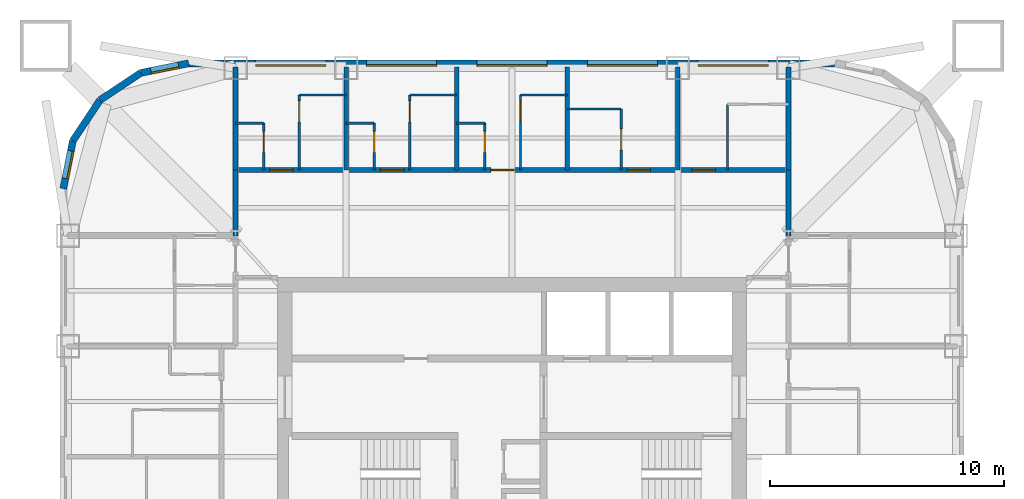
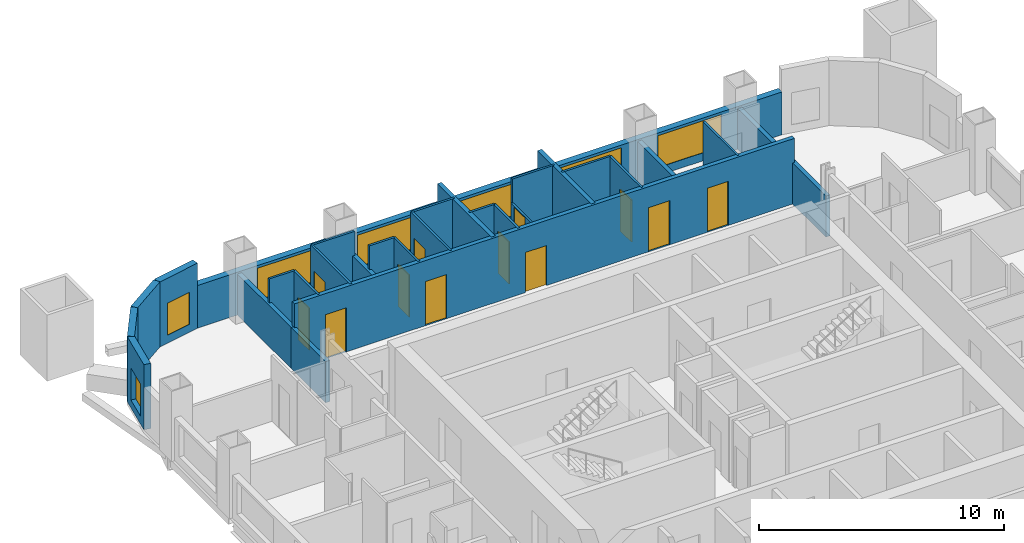
# One storey, part 7 of 9: 29 walls, 12 doors, 7 windows, 19 openings.
"""IFC4 building model written with IfcOpenShell, lengths in metres."""

from ifc_helpers import new_model, si_unit, direction, frame, frame_2d, origin, place, context, subcontext, project, spatial, rectangle, extrude, material, layer, layer_set, type_object, element, fill, save


model = new_model("IFC4")

# Units and contexts
model_context = context("Model", 3, precision=1e-05, world=origin(), true_north=direction((0.0, 1.0)))
body_context = subcontext(model_context, "Body", "Model", "MODEL_VIEW")
ifc_project = project(units=[si_unit("LENGTHUNIT", "METRE"), si_unit("AREAUNIT", "SQUARE_METRE"), si_unit("VOLUMEUNIT", "CUBIC_METRE"), si_unit("PLANEANGLEUNIT", "RADIAN"), si_unit("MASSUNIT", "GRAM", prefix="KILO")], contexts=[model_context])

# Site, building, storey
site_placement = place(None, origin())
site = spatial("IfcSite", under=ifc_project, at=site_placement, CompositionType="ELEMENT")
building_placement = place(site_placement, origin())
building = spatial("IfcBuilding", under=site, at=building_placement, Name="Turquesa Mirador Hotel Tower", CompositionType="ELEMENT")
storey_placement = place(building_placement, frame((0.0, 0.0, 217.800048828125)))
storey = spatial("IfcBuildingStorey", under=building, at=storey_placement, Name="L59", CompositionType="ELEMENT", Elevation=217.800048828125)

# Walls
ifc_material_1 = material(Name="Gypsum board on steel studs", Category="steel")
ifc_layer_1 = layer(ifc_material_1, 0.10009765625)
ifc_layer_set_1 = layer_set([ifc_layer_1], Name="BATHROOM WALL 100")
wall_type_1 = type_object("IfcWallType", Name="BATHROOM WALL 100", PredefinedType="PARTITIONING", material=ifc_layer_set_1)
wall_1_placement = place(storey_placement, frame((43.199951171875, 61.60009765625, 0.0), z_axis=(0.0, 0.0, 1.0), x_axis=(1.0, 0.0, 0.0)))
element("IfcWall", 1, at=wall_1_placement, inside=storey, type_object=wall_type_1, Name="Partition L59 033", PredefinedType="PARTITIONING", context=body_context, shape_type="SweptSolid", body=[
    extrude(rectangle(XDim=1.199951171875, YDim=0.10009765625, at=frame_2d((0.60009765625, 0.0))), origin(), (0.0, 0.0, 1.0), 3.25),
])
for number, where, z_axis, x_axis, name in (
    (2, (47.919921875, 61.60009765625, 0.0), (0.0, 0.0, 1.0), (1.0, 0.0, 0.0), "Partition L59 034"),
    (3, (52.639892578125, 61.60009765625, 0.0), (0.0, 0.0, 1.0), (1.0, 0.0, 0.0), "Partition L59 035"),
):
    element("IfcWall", number, at=place(storey_placement, frame(where, z_axis=z_axis, x_axis=x_axis)), inside=storey, type_object=wall_type_1, Name=name, PredefinedType="PARTITIONING", context=body_context, shape_type="SweptSolid", body=[
        extrude(rectangle(XDim=1.2001953125, YDim=0.10009765625, at=frame_2d((0.60009765625, 0.0))), origin(), (0.0, 0.0, 1.0), 3.25),
    ])
wall_2_placement = place(storey_placement, frame((57.360107421875, 62.199951171875, 0.0), z_axis=(0.0, 0.0, 1.0), x_axis=(1.0, 0.0, 0.0)))
element("IfcWall", 4, at=wall_2_placement, inside=storey, type_object=wall_type_1, Name="Partition L59 036", PredefinedType="PARTITIONING", context=body_context, shape_type="SweptSolid", body=[
    extrude(rectangle(XDim=2.2998046875, YDim=0.10009765625, at=frame_2d((1.14990234375, 0.0))), origin(), (0.0, 0.0, 1.0), 3.25),
])
for number, where, z_axis, x_axis, name in (
    (5, (45.919921875, 62.800048828125, 0.0), (0.0, 0.0, 1.0), (1.0, 0.0, 0.0), "Partition L59 038"),
    (6, (50.639892578125, 62.800048828125, 0.0), (0.0, 0.0, 1.0), (1.0, 0.0, 0.0), "Partition L59 039"),
    (7, (55.360107421875, 62.800048828125, 0.0), (0.0, 0.0, 1.0), (1.0, 0.0, 0.0), "Partition L59 040"),
):
    element("IfcWall", number, at=place(storey_placement, frame(where, z_axis=z_axis, x_axis=x_axis)), inside=storey, type_object=wall_type_1, Name=name, PredefinedType="PARTITIONING", context=body_context, shape_type="SweptSolid", body=[
        extrude(rectangle(XDim=2.0, YDim=0.10009765625, at=frame_2d((1.0, 0.0))), origin(), (0.0, 0.0, 1.0), 3.25),
    ])

# Wall, opening, door
wall_3_placement = place(storey_placement, frame((53.840087890625, 59.60009765625, 0.0), z_axis=(0.0, 0.0, 1.0), x_axis=(0.0, 1.0, 0.0)))
wall_3 = element("IfcWall", 8, at=wall_3_placement, inside=storey, type_object=wall_type_1, Name="Partition L59 054", PredefinedType="PARTITIONING", context=body_context, shape_type="SweptSolid", body=[
    extrude(rectangle(XDim=2.0, YDim=0.10009765625, at=frame_2d((1.0, 0.0))), origin(), (0.0, 0.0, 1.0), 3.25),
])
opening_1_placement = place(wall_3_placement, frame((0.75, 0.0, 0.0)))
opening_1 = element("IfcOpeningElement", 9, at=opening_1_placement, cuts=wall_3, Name="Opening D06", PredefinedType="OPENING", context=body_context, shape_type="SweptSolid", body=[
    extrude(rectangle(XDim=0.89990234375, YDim=2.10009765625, at=frame_2d((0.449951171875, 1.050048828125))), frame((0.0, 0.06005859375, 0.0), z_axis=(0.0, -1.0, 0.0), x_axis=(1.0, 0.0, 0.0)), (0.0, 0.0, 1.0), 0.1201171875),
])
ifc_material_2 = material(Name="Laminate door", Category="wood")
door_type_1 = type_object("IfcDoorType", Name="DOOR 900X2100 WC", OperationType="SINGLE_SWING_LEFT", PredefinedType="DOOR", material=ifc_material_2)
door_1_placement = place(opening_1_placement, origin())
door_1 = element("IfcDoor", 10, at=door_1_placement, inside=storey, type_object=door_type_1, Name="Door 5903W", OperationType="SINGLE_SWING_LEFT", OverallHeight=2.10009765625, OverallWidth=0.89990234375, PredefinedType="DOOR", context=body_context, shape_type="SweptSolid", body=[
    extrude(rectangle(XDim=0.89990234375, YDim=2.10009765625, at=frame_2d((0.449951171875, 1.050048828125))), frame((0.0, 0.02490234375, 0.0), z_axis=(0.0, -1.0, 0.0), x_axis=(1.0, 0.0, 0.0)), (0.0, 0.0, 1.0), 0.050048828125),
])
fill(opening_1, door_1)

wall_4_placement = place(storey_placement, frame((44.39990234375, 59.60009765625, 0.0), z_axis=(0.0, 0.0, 1.0), x_axis=(0.0, 1.0, 0.0)))
wall_4 = element("IfcWall", 11, at=wall_4_placement, inside=storey, type_object=wall_type_1, Name="Partition L59 055", PredefinedType="PARTITIONING", context=body_context, shape_type="SweptSolid", body=[
    extrude(rectangle(XDim=2.0, YDim=0.10009765625, at=frame_2d((1.0, 0.0))), origin(), (0.0, 0.0, 1.0), 3.25),
])
opening_2_placement = place(wall_4_placement, frame((0.75, 0.0, 0.0)))
opening_2 = element("IfcOpeningElement", 12, at=opening_2_placement, cuts=wall_4, Name="Opening D06", PredefinedType="OPENING", context=body_context, shape_type="SweptSolid", body=[
    extrude(rectangle(XDim=0.89990234375, YDim=2.10009765625, at=frame_2d((0.449951171875, 1.050048828125))), frame((0.0, 0.06005859375, 0.0), z_axis=(0.0, -1.0, 0.0), x_axis=(1.0, 0.0, 0.0)), (0.0, 0.0, 1.0), 0.1201171875),
])
door_2_placement = place(opening_2_placement, origin())
door_2 = element("IfcDoor", 13, at=door_2_placement, inside=storey, type_object=door_type_1, Name="Door 5901W", OperationType="SINGLE_SWING_LEFT", OverallHeight=2.10009765625, OverallWidth=0.89990234375, PredefinedType="DOOR", context=body_context, shape_type="SweptSolid", body=[
    extrude(rectangle(XDim=0.89990234375, YDim=2.10009765625, at=frame_2d((0.449951171875, 1.050048828125))), frame((0.0, 0.02490234375, 0.0), z_axis=(0.0, -1.0, 0.0), x_axis=(1.0, 0.0, 0.0)), (0.0, 0.0, 1.0), 0.050048828125),
])
fill(opening_2, door_2)

wall_5_placement = place(storey_placement, frame((50.639892578125, 59.60009765625, 0.0), z_axis=(0.0, 0.0, 1.0), x_axis=(0.0, 1.0, 0.0)))
wall_5 = element("IfcWall", 14, at=wall_5_placement, inside=storey, type_object=wall_type_1, Name="Partition L59 073", PredefinedType="PARTITIONING", context=body_context, shape_type="SweptSolid", body=[
    extrude(rectangle(XDim=3.199951171875, YDim=0.10009765625, at=frame_2d((1.60009765625, 0.0))), origin(), (0.0, 0.0, 1.0), 3.25),
])
opening_3_placement = place(wall_5_placement, frame((2.050048828125, 0.0, 0.0)))
opening_3 = element("IfcOpeningElement", 15, at=opening_3_placement, cuts=wall_5, Name="Opening D02", PredefinedType="OPENING", context=body_context, shape_type="SweptSolid", body=[
    extrude(rectangle(XDim=0.89990234375, YDim=2.10009765625, at=frame_2d((0.449951171875, 1.050048828125))), frame((0.0, 0.06005859375, 0.0), z_axis=(0.0, -1.0, 0.0), x_axis=(1.0, 0.0, 0.0)), (0.0, 0.0, 1.0), 0.1201171875),
])
ifc_material_3 = material(Name="Timber veneered door", Category="wood")
door_type_2 = type_object("IfcDoorType", Name="DOOR 900X2100 EN-SUITE", OperationType="SINGLE_SWING_RIGHT", PredefinedType="DOOR", material=ifc_material_3)
door_3_placement = place(opening_3_placement, origin())
door_3 = element("IfcDoor", 16, at=door_3_placement, inside=storey, type_object=door_type_2, Name="Door 5902B", OperationType="SINGLE_SWING_RIGHT", OverallHeight=2.10009765625, OverallWidth=0.89990234375, PredefinedType="DOOR", context=body_context, shape_type="SweptSolid", body=[
    extrude(rectangle(XDim=0.89990234375, YDim=2.10009765625, at=frame_2d((0.449951171875, 1.050048828125))), frame((0.0, 0.02490234375, 0.0), z_axis=(0.0, -1.0, 0.0), x_axis=(1.0, 0.0, 0.0)), (0.0, 0.0, 1.0), 0.050048828125),
])
fill(opening_3, door_3)

wall_6_placement = place(storey_placement, frame((49.1201171875, 59.60009765625, 0.0), z_axis=(0.0, 0.0, 1.0), x_axis=(0.0, 1.0, 0.0)))
wall_6 = element("IfcWall", 17, at=wall_6_placement, inside=storey, type_object=wall_type_1, Name="Partition L59 075", PredefinedType="PARTITIONING", context=body_context, shape_type="SweptSolid", body=[
    extrude(rectangle(XDim=2.0, YDim=0.10009765625, at=frame_2d((1.0, 0.0))), origin(), (0.0, 0.0, 1.0), 3.25),
])
opening_4_placement = place(wall_6_placement, frame((0.75, 0.0, 0.0)))
opening_4 = element("IfcOpeningElement", 18, at=opening_4_placement, cuts=wall_6, Name="Opening D06", PredefinedType="OPENING", context=body_context, shape_type="SweptSolid", body=[
    extrude(rectangle(XDim=0.89990234375, YDim=2.10009765625, at=frame_2d((0.449951171875, 1.050048828125))), frame((0.0, 0.06005859375, 0.0), z_axis=(0.0, -1.0, 0.0), x_axis=(1.0, 0.0, 0.0)), (0.0, 0.0, 1.0), 0.1201171875),
])
door_4_placement = place(opening_4_placement, origin())
door_4 = element("IfcDoor", 19, at=door_4_placement, inside=storey, type_object=door_type_1, Name="Door 5902W", OperationType="SINGLE_SWING_LEFT", OverallHeight=2.10009765625, OverallWidth=0.89990234375, PredefinedType="DOOR", context=body_context, shape_type="SweptSolid", body=[
    extrude(rectangle(XDim=0.89990234375, YDim=2.10009765625, at=frame_2d((0.449951171875, 1.050048828125))), frame((0.0, 0.02490234375, 0.0), z_axis=(0.0, -1.0, 0.0), x_axis=(1.0, 0.0, 0.0)), (0.0, 0.0, 1.0), 0.050048828125),
])
fill(opening_4, door_4)

wall_7_placement = place(storey_placement, frame((45.919921875, 59.60009765625, 0.0), z_axis=(0.0, 0.0, 1.0), x_axis=(0.0, 1.0, 0.0)))
wall_7 = element("IfcWall", 20, at=wall_7_placement, inside=storey, type_object=wall_type_1, Name="Partition L59 078", PredefinedType="PARTITIONING", context=body_context, shape_type="SweptSolid", body=[
    extrude(rectangle(XDim=3.199951171875, YDim=0.10009765625, at=frame_2d((1.60009765625, 0.0))), origin(), (0.0, 0.0, 1.0), 3.25),
])
opening_5_placement = place(wall_7_placement, frame((2.050048828125, 0.0, 0.0)))
opening_5 = element("IfcOpeningElement", 21, at=opening_5_placement, cuts=wall_7, Name="Opening D02", PredefinedType="OPENING", context=body_context, shape_type="SweptSolid", body=[
    extrude(rectangle(XDim=0.89990234375, YDim=2.10009765625, at=frame_2d((0.449951171875, 1.050048828125))), frame((0.0, 0.06005859375, 0.0), z_axis=(0.0, -1.0, 0.0), x_axis=(1.0, 0.0, 0.0)), (0.0, 0.0, 1.0), 0.1201171875),
])
door_5_placement = place(opening_5_placement, origin())
door_5 = element("IfcDoor", 22, at=door_5_placement, inside=storey, type_object=door_type_2, Name="Door 5901B", OperationType="SINGLE_SWING_RIGHT", OverallHeight=2.10009765625, OverallWidth=0.89990234375, PredefinedType="DOOR", context=body_context, shape_type="SweptSolid", body=[
    extrude(rectangle(XDim=0.89990234375, YDim=2.10009765625, at=frame_2d((0.449951171875, 1.050048828125))), frame((0.0, 0.02490234375, 0.0), z_axis=(0.0, -1.0, 0.0), x_axis=(1.0, 0.0, 0.0)), (0.0, 0.0, 1.0), 0.050048828125),
])
fill(opening_5, door_5)

wall_8_placement = place(storey_placement, frame((55.360107421875, 59.60009765625, 0.0), z_axis=(0.0, 0.0, 1.0), x_axis=(0.0, 1.0, 0.0)))
wall_8 = element("IfcWall", 23, at=wall_8_placement, inside=storey, type_object=wall_type_1, Name="Partition L59 080", PredefinedType="PARTITIONING", context=body_context, shape_type="SweptSolid", body=[
    extrude(rectangle(XDim=3.199951171875, YDim=0.10009765625, at=frame_2d((1.60009765625, 0.0))), origin(), (0.0, 0.0, 1.0), 2.050048828125),
])
opening_6_placement = place(wall_8_placement, frame((2.050048828125, 0.0, 0.0)))
opening_6 = element("IfcOpeningElement", 24, at=opening_6_placement, cuts=wall_8, Name="Opening D25", PredefinedType="OPENING", context=body_context, shape_type="SweptSolid", body=[
    extrude(rectangle(XDim=0.89990234375, YDim=2.0, at=frame_2d((0.449951171875, 1.0))), frame((0.0, 0.06005859375, 0.0), z_axis=(0.0, -1.0, 0.0), x_axis=(1.0, 0.0, 0.0)), (0.0, 0.0, 1.0), 0.1201171875),
])
ifc_material_4 = material(Name="Timber veneered door", Category="wood")
door_type_3 = type_object("IfcDoorType", Name="DOOR 900X2000 EN-SUITE", OperationType="SINGLE_SWING_RIGHT", PredefinedType="DOOR", material=ifc_material_4)
door_6_placement = place(opening_6_placement, origin())
door_6 = element("IfcDoor", 25, at=door_6_placement, inside=storey, type_object=door_type_3, Name="Door 5903B", OperationType="SINGLE_SWING_RIGHT", OverallHeight=2.0, OverallWidth=0.89990234375, PredefinedType="DOOR", context=body_context, shape_type="SweptSolid", body=[
    extrude(rectangle(XDim=0.89990234375, YDim=2.0, at=frame_2d((0.449951171875, 1.0))), frame((0.0, 0.02490234375, 0.0), z_axis=(0.0, -1.0, 0.0), x_axis=(1.0, 0.0, 0.0)), (0.0, 0.0, 1.0), 0.050048828125),
])
fill(opening_6, door_6)

wall_9_placement = place(storey_placement, frame((59.659912109375, 59.60009765625, 0.0), z_axis=(0.0, 0.0, 1.0), x_axis=(0.0, 1.0, 0.0)))
wall_9 = element("IfcWall", 26, at=wall_9_placement, inside=storey, type_object=wall_type_1, Name="Partition L59 096", PredefinedType="PARTITIONING", context=body_context, shape_type="SweptSolid", body=[
    extrude(rectangle(XDim=2.599853515625, YDim=0.10009765625, at=frame_2d((1.2998046875, 0.0))), origin(), (0.0, 0.0, 1.0), 3.25),
])
opening_7_placement = place(wall_9_placement, frame((0.85009765625, 0.0, 0.0)))
opening_7 = element("IfcOpeningElement", 27, at=opening_7_placement, cuts=wall_9, Name="Opening D02", PredefinedType="OPENING", context=body_context, shape_type="SweptSolid", body=[
    extrude(rectangle(XDim=0.89990234375, YDim=2.10009765625, at=frame_2d((0.449951171875, 1.050048828125))), frame((0.0, 0.06005859375, 0.0), z_axis=(0.0, -1.0, 0.0), x_axis=(1.0, 0.0, 0.0)), (0.0, 0.0, 1.0), 0.1201171875),
])
door_7_placement = place(opening_7_placement, origin())
door_7 = element("IfcDoor", 28, at=door_7_placement, inside=storey, type_object=door_type_2, Name="Door 5904B", OperationType="SINGLE_SWING_RIGHT", OverallHeight=2.10009765625, OverallWidth=0.89990234375, PredefinedType="DOOR", context=body_context, shape_type="SweptSolid", body=[
    extrude(rectangle(XDim=0.89990234375, YDim=2.10009765625, at=frame_2d((0.449951171875, 1.050048828125))), frame((0.0, 0.02490234375, 0.0), z_axis=(0.0, -1.0, 0.0), x_axis=(1.0, 0.0, 0.0)), (0.0, 0.0, 1.0), 0.050048828125),
])
fill(opening_7, door_7)

# Wall
wall_10_placement = place(storey_placement, frame((64.199951171875, 59.60009765625, 0.0), z_axis=(0.0, 0.0, 1.0), x_axis=(0.0, 1.0, 0.0)))
element("IfcWall", 29, at=wall_10_placement, inside=storey, type_object=wall_type_1, Name="Partition L59 101", PredefinedType="PARTITIONING", context=body_context, shape_type="SweptSolid", body=[
    extrude(rectangle(XDim=2.7998046875, YDim=0.10009765625, at=frame_2d((1.39990234375, 0.0))), origin(), (0.0, 0.0, 1.0), 3.25),
])

# Wall, openings, doors
ifc_material_5 = material(Name="Fire-rated gypsum board on steel studs", Category="steel")
ifc_layer_2 = layer(ifc_material_5, 0.199951171875)
ifc_layer_set_2 = layer_set([ifc_layer_2], Name="CORRIDOR WALL 200")
wall_type_2 = type_object("IfcWallType", Name="CORRIDOR WALL 200", PredefinedType="PARTITIONING", material=ifc_layer_set_2)
wall_11_placement = place(storey_placement, frame((43.199951171875, 59.60009765625, 0.0), z_axis=(0.0, 0.0, 1.0), x_axis=(1.0, 0.0, 0.0)))
wall_11 = element("IfcWall", 30, at=wall_11_placement, inside=storey, type_object=wall_type_2, Name="Partition L59 032", PredefinedType="PARTITIONING", context=body_context, shape_type="SweptSolid", body=[
    extrude(rectangle(XDim=23.60009765625, YDim=0.199951171875, at=frame_2d((11.800048828125, 0.0))), origin(), (0.0, 0.0, 1.0), 3.25),
])
opening_8_placement = place(wall_11_placement, frame((1.4599609375, 0.0, 0.0)))
opening_8 = element("IfcOpeningElement", 31, at=opening_8_placement, cuts=wall_11, Name="Opening D01", PredefinedType="OPENING", context=body_context, shape_type="SweptSolid", body=[
    extrude(rectangle(XDim=1.0, YDim=2.199951171875, at=frame_2d((0.5, 1.10009765625))), frame((0.0, 0.10986328125, 0.0), z_axis=(0.0, -1.0, 0.0), x_axis=(1.0, 0.0, 0.0)), (0.0, 0.0, 1.0), 0.219970703125),
])
opening_9_placement = place(wall_11_placement, frame((6.179931640625, 0.0, 0.0)))
opening_9 = element("IfcOpeningElement", 32, at=opening_9_placement, cuts=wall_11, Name="Opening D01", PredefinedType="OPENING", context=body_context, shape_type="SweptSolid", body=[
    extrude(rectangle(XDim=1.0, YDim=2.199951171875, at=frame_2d((0.5, 1.10009765625))), frame((0.0, 0.10986328125, 0.0), z_axis=(0.0, -1.0, 0.0), x_axis=(1.0, 0.0, 0.0)), (0.0, 0.0, 1.0), 0.219970703125),
])
opening_10_placement = place(wall_11_placement, frame((10.89990234375, 0.0, 0.0)))
opening_10 = element("IfcOpeningElement", 33, at=opening_10_placement, cuts=wall_11, Name="Opening D22", PredefinedType="OPENING", context=body_context, shape_type="SweptSolid", body=[
    extrude(rectangle(XDim=1.0, YDim=2.0, at=frame_2d((0.5, 1.0))), frame((0.0, 0.10986328125, 0.0), z_axis=(0.0, -1.0, 0.0), x_axis=(1.0, 0.0, 0.0)), (0.0, 0.0, 1.0), 0.219970703125),
])
opening_11_placement = place(wall_11_placement, frame((16.7099609375, 0.0, 0.0)))
opening_11 = element("IfcOpeningElement", 34, at=opening_11_placement, cuts=wall_11, Name="Opening D01", PredefinedType="OPENING", context=body_context, shape_type="SweptSolid", body=[
    extrude(rectangle(XDim=1.0, YDim=2.199951171875, at=frame_2d((0.5, 1.10009765625))), frame((0.0, 0.10986328125, 0.0), z_axis=(0.0, -1.0, 0.0), x_axis=(1.0, 0.0, 0.0)), (0.0, 0.0, 1.0), 0.219970703125),
])
opening_12_placement = place(wall_11_placement, frame((19.47998046875, 0.0, 0.0)))
opening_12 = element("IfcOpeningElement", 35, at=opening_12_placement, cuts=wall_11, Name="Opening D01", PredefinedType="OPENING", context=body_context, shape_type="SweptSolid", body=[
    extrude(rectangle(XDim=1.0, YDim=2.199951171875, at=frame_2d((0.5, 1.10009765625))), frame((0.0, 0.10986328125, 0.0), z_axis=(0.0, -1.0, 0.0), x_axis=(1.0, 0.0, 0.0)), (0.0, 0.0, 1.0), 0.219970703125),
])
ifc_material_6 = material(Name="Timber veneered fire door", Category="wood")
door_type_4 = type_object("IfcDoorType", Name="DOOR 1000X2000 GUEST ENTRY", OperationType="SINGLE_SWING_LEFT", PredefinedType="DOOR", material=ifc_material_6)
door_8_placement = place(opening_10_placement, origin())
door_8 = element("IfcDoor", 36, at=door_8_placement, inside=storey, type_object=door_type_4, Name="Door 5903", OperationType="SINGLE_SWING_LEFT", OverallHeight=2.0, OverallWidth=1.0, PredefinedType="DOOR", context=body_context, shape_type="SweptSolid", body=[
    extrude(rectangle(XDim=1.0, YDim=2.0, at=frame_2d((0.5, 1.0))), frame((0.0, 0.02490234375, 0.0), z_axis=(0.0, -1.0, 0.0), x_axis=(1.0, 0.0, 0.0)), (0.0, 0.0, 1.0), 0.050048828125),
])
fill(opening_10, door_8)
ifc_material_7 = material(Name="Timber veneered fire door", Category="wood")
door_type_5 = type_object("IfcDoorType", Name="DOOR 1000X2200 GUEST ENTRY", OperationType="SINGLE_SWING_LEFT", PredefinedType="DOOR", material=ifc_material_7)
door_9_placement = place(opening_8_placement, origin())
door_9 = element("IfcDoor", 37, at=door_9_placement, inside=storey, type_object=door_type_5, Name="Door 5901", OperationType="SINGLE_SWING_LEFT", OverallHeight=2.199951171875, OverallWidth=1.0, PredefinedType="DOOR", context=body_context, shape_type="SweptSolid", body=[
    extrude(rectangle(XDim=1.0, YDim=2.199951171875, at=frame_2d((0.5, 1.10009765625))), frame((0.0, 0.02490234375, 0.0), z_axis=(0.0, -1.0, 0.0), x_axis=(1.0, 0.0, 0.0)), (0.0, 0.0, 1.0), 0.050048828125),
])
fill(opening_8, door_9)
door_10_placement = place(opening_9_placement, origin())
door_10 = element("IfcDoor", 38, at=door_10_placement, inside=storey, type_object=door_type_5, Name="Door 5902", OperationType="SINGLE_SWING_LEFT", OverallHeight=2.199951171875, OverallWidth=1.0, PredefinedType="DOOR", context=body_context, shape_type="SweptSolid", body=[
    extrude(rectangle(XDim=1.0, YDim=2.199951171875, at=frame_2d((0.5, 1.10009765625))), frame((0.0, 0.02490234375, 0.0), z_axis=(0.0, -1.0, 0.0), x_axis=(1.0, 0.0, 0.0)), (0.0, 0.0, 1.0), 0.050048828125),
])
fill(opening_9, door_10)
door_11_placement = place(opening_11_placement, origin())
door_11 = element("IfcDoor", 39, at=door_11_placement, inside=storey, type_object=door_type_5, Name="Door 5904", OperationType="SINGLE_SWING_LEFT", OverallHeight=2.199951171875, OverallWidth=1.0, PredefinedType="DOOR", context=body_context, shape_type="SweptSolid", body=[
    extrude(rectangle(XDim=1.0, YDim=2.199951171875, at=frame_2d((0.5, 1.10009765625))), frame((0.0, 0.02490234375, 0.0), z_axis=(0.0, -1.0, 0.0), x_axis=(1.0, 0.0, 0.0)), (0.0, 0.0, 1.0), 0.050048828125),
])
fill(opening_11, door_11)
door_12_placement = place(opening_12_placement, origin())
door_12 = element("IfcDoor", 40, at=door_12_placement, inside=storey, type_object=door_type_5, Name="Door 5905", OperationType="SINGLE_SWING_LEFT", OverallHeight=2.199951171875, OverallWidth=1.0, PredefinedType="DOOR", context=body_context, shape_type="SweptSolid", body=[
    extrude(rectangle(XDim=1.0, YDim=2.199951171875, at=frame_2d((0.5, 1.10009765625))), frame((0.0, 0.02490234375, 0.0), z_axis=(0.0, -1.0, 0.0), x_axis=(1.0, 0.0, 0.0)), (0.0, 0.0, 1.0), 0.050048828125),
])
fill(opening_12, door_12)

# Walls
for number, where, z_axis, x_axis, name in (
    (41, (43.199951171875, 56.780029296875, 0.0), (0.0, 0.0, 1.0), (0.0, 1.0, 0.0), "Partition L59 102"),
    (42, (66.800048828125, 56.780029296875, 0.0), (0.0, 0.0, 1.0), (0.0, 1.0, 0.0), "Partition L59 103"),
):
    element("IfcWall", number, at=place(storey_placement, frame(where, z_axis=z_axis, x_axis=x_axis)), inside=storey, type_object=wall_type_2, Name=name, PredefinedType="PARTITIONING", context=body_context, shape_type="SweptSolid", body=[
        extrude(rectangle(XDim=2.820068359375, YDim=0.199951171875, at=frame_2d((1.41015625, 0.0))), origin(), (0.0, 0.0, 1.0), 2.050048828125),
    ])

# Wall, openings, windows
ifc_material_8 = material(Name="Limestone cladding on concrete block", Category="masonry")
ifc_layer_3 = layer(ifc_material_8, 0.300048828125)
ifc_layer_set_3 = layer_set([ifc_layer_3], Name="FACADE WALL 300 STONE SCREEN")
wall_type_3 = type_object("IfcWallType", Name="FACADE WALL 300 STONE SCREEN", PredefinedType="SOLIDWALL", material=ifc_layer_set_3)
wall_12_placement = place(storey_placement, frame((68.800048828125, 64.14990234375, 0.0), z_axis=(0.0, 0.0, 1.0), x_axis=(-1.0, 0.0, 0.0)))
wall_12 = element("IfcWall", 43, at=wall_12_placement, inside=storey, type_object=wall_type_3, Name="Facade wall L59 09", PredefinedType="SOLIDWALL", context=body_context, shape_type="SweptSolid", body=[
    extrude(rectangle(XDim=27.60009765625, YDim=0.300048828125, at=frame_2d((13.800048828125, 0.0))), origin(), (0.0, 0.0, 1.0), 2.13232421875),
])
opening_13_placement = place(wall_12_placement, frame((2.860107421875, 0.0, 0.39990234375)))
opening_13 = element("IfcOpeningElement", 44, at=opening_13_placement, cuts=wall_12, Name="Opening WN7", PredefinedType="OPENING", context=body_context, shape_type="SweptSolid", body=[
    extrude(rectangle(XDim=3.0, YDim=1.60009765625, at=frame_2d((1.5, 0.800048828125))), frame((0.0, 0.159912109375, 0.0), z_axis=(0.0, -1.0, 0.0), x_axis=(1.0, 0.0, 0.0)), (0.0, 0.0, 1.0), 0.320068359375),
])
opening_14_placement = place(wall_12_placement, frame((7.580078125, 0.0, 0.39990234375)))
opening_14 = element("IfcOpeningElement", 45, at=opening_14_placement, cuts=wall_12, Name="Opening WN7", PredefinedType="OPENING", context=body_context, shape_type="SweptSolid", body=[
    extrude(rectangle(XDim=3.0, YDim=1.60009765625, at=frame_2d((1.5, 0.800048828125))), frame((0.0, 0.159912109375, 0.0), z_axis=(0.0, -1.0, 0.0), x_axis=(1.0, 0.0, 0.0)), (0.0, 0.0, 1.0), 0.320068359375),
])
opening_15_placement = place(wall_12_placement, frame((12.300048828125, 0.0, 0.39990234375)))
opening_15 = element("IfcOpeningElement", 46, at=opening_15_placement, cuts=wall_12, Name="Opening WN7", PredefinedType="OPENING", context=body_context, shape_type="SweptSolid", body=[
    extrude(rectangle(XDim=3.0, YDim=1.60009765625, at=frame_2d((1.5, 0.800048828125))), frame((0.0, 0.159912109375, 0.0), z_axis=(0.0, -1.0, 0.0), x_axis=(1.0, 0.0, 0.0)), (0.0, 0.0, 1.0), 0.320068359375),
])
opening_16_placement = place(wall_12_placement, frame((17.02001953125, 0.0, 0.39990234375)))
opening_16 = element("IfcOpeningElement", 47, at=opening_16_placement, cuts=wall_12, Name="Opening WN7", PredefinedType="OPENING", context=body_context, shape_type="SweptSolid", body=[
    extrude(rectangle(XDim=3.0, YDim=1.60009765625, at=frame_2d((1.5, 0.800048828125))), frame((0.0, 0.159912109375, 0.0), z_axis=(0.0, -1.0, 0.0), x_axis=(1.0, 0.0, 0.0)), (0.0, 0.0, 1.0), 0.320068359375),
])
opening_17_placement = place(wall_12_placement, frame((21.739990234375, 0.0, 0.39990234375)))
opening_17 = element("IfcOpeningElement", 48, at=opening_17_placement, cuts=wall_12, Name="Opening WN7", PredefinedType="OPENING", context=body_context, shape_type="SweptSolid", body=[
    extrude(rectangle(XDim=3.0, YDim=1.60009765625, at=frame_2d((1.5, 0.800048828125))), frame((0.0, 0.159912109375, 0.0), z_axis=(0.0, -1.0, 0.0), x_axis=(1.0, 0.0, 0.0)), (0.0, 0.0, 1.0), 0.320068359375),
])
ifc_material_9 = material(Name="Ceramic-fritted laminated glass", Category="glass")
window_type_1 = type_object("IfcWindowType", Name="FRITTED WINDOW 3000X1600", PartitioningType="DOUBLE_PANEL_HORIZONTAL", PredefinedType="WINDOW", material=ifc_material_9)
window_1_placement = place(opening_13_placement, origin())
window_1 = element("IfcWindow", 49, at=window_1_placement, inside=storey, type_object=window_type_1, Name="Window L59", OverallHeight=1.60009765625, OverallWidth=3.0, PartitioningType="SINGLE_PANEL", PredefinedType="WINDOW", context=body_context, shape_type="SweptSolid", body=[
    extrude(rectangle(XDim=3.0, YDim=1.60009765625, at=frame_2d((1.5, 0.800048828125))), frame((0.0, 0.130126953125, 0.0), z_axis=(0.0, -1.0, 0.0), x_axis=(1.0, 0.0, 0.0)), (0.0, 0.0, 1.0), 0.06005859375),
])
fill(opening_13, window_1)
window_2_placement = place(opening_14_placement, origin())
window_2 = element("IfcWindow", 50, at=window_2_placement, inside=storey, type_object=window_type_1, Name="Window L59", OverallHeight=1.60009765625, OverallWidth=3.0, PartitioningType="SINGLE_PANEL", PredefinedType="WINDOW", context=body_context, shape_type="SweptSolid", body=[
    extrude(rectangle(XDim=3.0, YDim=1.60009765625, at=frame_2d((1.5, 0.800048828125))), frame((0.0, 0.130126953125, 0.0), z_axis=(0.0, -1.0, 0.0), x_axis=(1.0, 0.0, 0.0)), (0.0, 0.0, 1.0), 0.06005859375),
])
fill(opening_14, window_2)
window_3_placement = place(opening_15_placement, origin())
window_3 = element("IfcWindow", 51, at=window_3_placement, inside=storey, type_object=window_type_1, Name="Window L59", OverallHeight=1.60009765625, OverallWidth=3.0, PartitioningType="SINGLE_PANEL", PredefinedType="WINDOW", context=body_context, shape_type="SweptSolid", body=[
    extrude(rectangle(XDim=3.0, YDim=1.60009765625, at=frame_2d((1.5, 0.800048828125))), frame((0.0, 0.130126953125, 0.0), z_axis=(0.0, -1.0, 0.0), x_axis=(1.0, 0.0, 0.0)), (0.0, 0.0, 1.0), 0.06005859375),
])
fill(opening_15, window_3)
window_4_placement = place(opening_16_placement, origin())
window_4 = element("IfcWindow", 52, at=window_4_placement, inside=storey, type_object=window_type_1, Name="Window L59", OverallHeight=1.60009765625, OverallWidth=3.0, PartitioningType="SINGLE_PANEL", PredefinedType="WINDOW", context=body_context, shape_type="SweptSolid", body=[
    extrude(rectangle(XDim=3.0, YDim=1.60009765625, at=frame_2d((1.5, 0.800048828125))), frame((0.0, 0.130126953125, 0.0), z_axis=(0.0, -1.0, 0.0), x_axis=(1.0, 0.0, 0.0)), (0.0, 0.0, 1.0), 0.06005859375),
])
fill(opening_16, window_4)
window_5_placement = place(opening_17_placement, origin())
window_5 = element("IfcWindow", 53, at=window_5_placement, inside=storey, type_object=window_type_1, Name="Window L59", OverallHeight=1.60009765625, OverallWidth=3.0, PartitioningType="SINGLE_PANEL", PredefinedType="WINDOW", context=body_context, shape_type="SweptSolid", body=[
    extrude(rectangle(XDim=3.0, YDim=1.60009765625, at=frame_2d((1.5, 0.800048828125))), frame((0.0, 0.130126953125, 0.0), z_axis=(0.0, -1.0, 0.0), x_axis=(1.0, 0.0, 0.0)), (0.0, 0.0, 1.0), 0.06005859375),
])
fill(opening_17, window_5)

# Wall, opening, window
wall_13_placement = place(storey_placement, frame((41.199951171875, 64.14990234375, 0.0), z_axis=(0.0, 0.0, 1.0), x_axis=(-0.980787050784, -0.195081421501, 0.0)))
wall_13 = element("IfcWall", 54, at=wall_13_placement, inside=storey, type_object=wall_type_3, Name="Facade wall L59 10", PredefinedType="SOLIDWALL", context=body_context, shape_type="SweptSolid", body=[
    extrude(rectangle(XDim=2.08740234375, YDim=0.300048828125, at=frame_2d((1.043701171875, 0.0))), origin(), (0.0, 0.0, 1.0), 3.25),
])
opening_18_placement = place(wall_13_placement, frame((0.443603515625, 0.0, 0.39990234375)))
opening_18 = element("IfcOpeningElement", 55, at=opening_18_placement, cuts=wall_13, Name="Opening WN8", PredefinedType="OPENING", context=body_context, shape_type="SweptSolid", body=[
    extrude(rectangle(XDim=1.199951171875, YDim=1.60009765625, at=frame_2d((0.60009765625, 0.800048828125))), frame((0.0, 0.159912109375, 0.0), z_axis=(0.0, -1.0, 0.0), x_axis=(1.0, 0.0, 0.0)), (0.0, 0.0, 1.0), 0.320068359375),
])
ifc_material_10 = material(Name="Ceramic-fritted laminated glass", Category="glass")
window_type_2 = type_object("IfcWindowType", Name="FRITTED CORNER WINDOW 1200X1600", PartitioningType="DOUBLE_PANEL_HORIZONTAL", PredefinedType="WINDOW", material=ifc_material_10)
window_6_placement = place(opening_18_placement, origin())
window_6 = element("IfcWindow", 56, at=window_6_placement, inside=storey, type_object=window_type_2, Name="Window L59", OverallHeight=1.60009765625, OverallWidth=1.199951171875, PartitioningType="SINGLE_PANEL", PredefinedType="WINDOW", context=body_context, shape_type="SweptSolid", body=[
    extrude(rectangle(XDim=1.199951171875, YDim=1.60009765625, at=frame_2d((0.60009765625, 0.800048828125))), frame((0.0, 0.130126953125, 0.0), z_axis=(0.0, -1.0, 0.0), x_axis=(1.0, 0.0, 0.0)), (0.0, 0.0, 1.0), 0.06005859375),
])
fill(opening_18, window_6)

# Walls
for number, where, z_axis, x_axis, name in (
    (57, (39.152587890625, 63.74267578125, 0.0), (0.0, 0.0, 1.0), (-0.831474039234, -0.555563607591, 0.0), "Facade wall L59 11"),
    (58, (37.4169921875, 62.5830078125, 0.0), (0.0, 0.0, 1.0), (-0.555563607591, -0.831474039234, 0.0), "Facade wall L59 12"),
):
    element("IfcWall", number, at=place(storey_placement, frame(where, z_axis=z_axis, x_axis=x_axis)), inside=storey, type_object=wall_type_3, Name=name, PredefinedType="SOLIDWALL", context=body_context, shape_type="SweptSolid", body=[
        extrude(rectangle(XDim=2.08740234375, YDim=0.300048828125, at=frame_2d((1.043701171875, 0.0))), origin(), (0.0, 0.0, 1.0), 3.25),
    ])

# Wall, opening, window
wall_14_placement = place(storey_placement, frame((36.25732421875, 60.847412109375, 0.0), z_axis=(0.0, 0.0, 1.0), x_axis=(-0.195081421501, -0.980787050784, 0.0)))
wall_14 = element("IfcWall", 59, at=wall_14_placement, inside=storey, type_object=wall_type_3, Name="Facade wall L59 13", PredefinedType="SOLIDWALL", context=body_context, shape_type="SweptSolid", body=[
    extrude(rectangle(XDim=2.08740234375, YDim=0.300048828125, at=frame_2d((1.043701171875, 0.0))), origin(), (0.0, 0.0, 1.0), 3.25),
])
opening_19_placement = place(wall_14_placement, frame((0.443603515625, 0.0, 0.39990234375)))
opening_19 = element("IfcOpeningElement", 60, at=opening_19_placement, cuts=wall_14, Name="Opening WN8", PredefinedType="OPENING", context=body_context, shape_type="SweptSolid", body=[
    extrude(rectangle(XDim=1.199951171875, YDim=1.60009765625, at=frame_2d((0.60009765625, 0.800048828125))), frame((0.0, 0.159912109375, 0.0), z_axis=(0.0, -1.0, 0.0), x_axis=(1.0, 0.0, 0.0)), (0.0, 0.0, 1.0), 0.320068359375),
])
window_7_placement = place(opening_19_placement, origin())
window_7 = element("IfcWindow", 61, at=window_7_placement, inside=storey, type_object=window_type_2, Name="Window L59", OverallHeight=1.60009765625, OverallWidth=1.199951171875, PartitioningType="SINGLE_PANEL", PredefinedType="WINDOW", context=body_context, shape_type="SweptSolid", body=[
    extrude(rectangle(XDim=1.199951171875, YDim=1.60009765625, at=frame_2d((0.60009765625, 0.800048828125))), frame((0.0, 0.130126953125, 0.0), z_axis=(0.0, -1.0, 0.0), x_axis=(1.0, 0.0, 0.0)), (0.0, 0.0, 1.0), 0.06005859375),
])
fill(opening_19, window_7)

# Walls
ifc_material_11 = material(Name="Fire-rated gypsum board on steel studs", Category="steel")
ifc_layer_4 = layer(ifc_material_11, 0.199951171875)
ifc_layer_set_4 = layer_set([ifc_layer_4], Name="PARTY WALL 200")
wall_type_4 = type_object("IfcWallType", Name="PARTY WALL 200", PredefinedType="PARTITIONING", material=ifc_layer_set_4)
wall_15_placement = place(storey_placement, frame((43.199951171875, 59.60009765625, 0.0), z_axis=(0.0, 0.0, 1.0), x_axis=(0.0, 1.0, 0.0)))
element("IfcWall", 62, at=wall_15_placement, inside=storey, type_object=wall_type_4, Name="Partition L59 059", PredefinedType="PARTITIONING", context=body_context, shape_type="SweptSolid", body=[
    extrude(rectangle(XDim=4.39990234375, YDim=0.199951171875, at=frame_2d((2.199951171875, 0.0))), origin(), (0.0, 0.0, 1.0), 2.050048828125),
])
wall_16_placement = place(storey_placement, frame((52.639892578125, 59.60009765625, 0.0), z_axis=(0.0, 0.0, 1.0), x_axis=(0.0, 1.0, 0.0)))
element("IfcWall", 63, at=wall_16_placement, inside=storey, type_object=wall_type_4, Name="Partition L59 071", PredefinedType="PARTITIONING", context=body_context, shape_type="SweptSolid", body=[
    extrude(rectangle(XDim=4.39990234375, YDim=0.199951171875, at=frame_2d((2.199951171875, 0.0))), origin(), (0.0, 0.0, 1.0), 3.25),
])
for number, where, z_axis, x_axis, name in (
    (64, (47.919921875, 59.60009765625, 0.0), (0.0, 0.0, 1.0), (0.0, 1.0, 0.0), "Partition L59 077"),
    (65, (66.800048828125, 59.60009765625, 0.0), (0.0, 0.0, 1.0), (0.0, 1.0, 0.0), "Partition L59 084"),
):
    element("IfcWall", number, at=place(storey_placement, frame(where, z_axis=z_axis, x_axis=x_axis)), inside=storey, type_object=wall_type_4, Name=name, PredefinedType="PARTITIONING", context=body_context, shape_type="SweptSolid", body=[
        extrude(rectangle(XDim=4.39990234375, YDim=0.199951171875, at=frame_2d((2.199951171875, 0.0))), origin(), (0.0, 0.0, 1.0), 2.050048828125),
    ])
wall_17_placement = place(storey_placement, frame((57.360107421875, 59.60009765625, 0.0), z_axis=(0.0, 0.0, 1.0), x_axis=(0.0, 1.0, 0.0)))
element("IfcWall", 66, at=wall_17_placement, inside=storey, type_object=wall_type_4, Name="Partition L59 094", PredefinedType="PARTITIONING", context=body_context, shape_type="SweptSolid", body=[
    extrude(rectangle(XDim=4.39990234375, YDim=0.199951171875, at=frame_2d((2.199951171875, 0.0))), origin(), (0.0, 0.0, 1.0), 3.25),
])
wall_18_placement = place(storey_placement, frame((62.080078125, 59.60009765625, 0.0), z_axis=(0.0, 0.0, 1.0), x_axis=(0.0, 1.0, 0.0)))
element("IfcWall", 67, at=wall_18_placement, inside=storey, type_object=wall_type_4, Name="Partition L59 099", PredefinedType="PARTITIONING", context=body_context, shape_type="SweptSolid", body=[
    extrude(rectangle(XDim=4.39990234375, YDim=0.199951171875, at=frame_2d((2.199951171875, 0.0))), origin(), (0.0, 0.0, 1.0), 2.050048828125),
])

save(model, "model.ifc")
